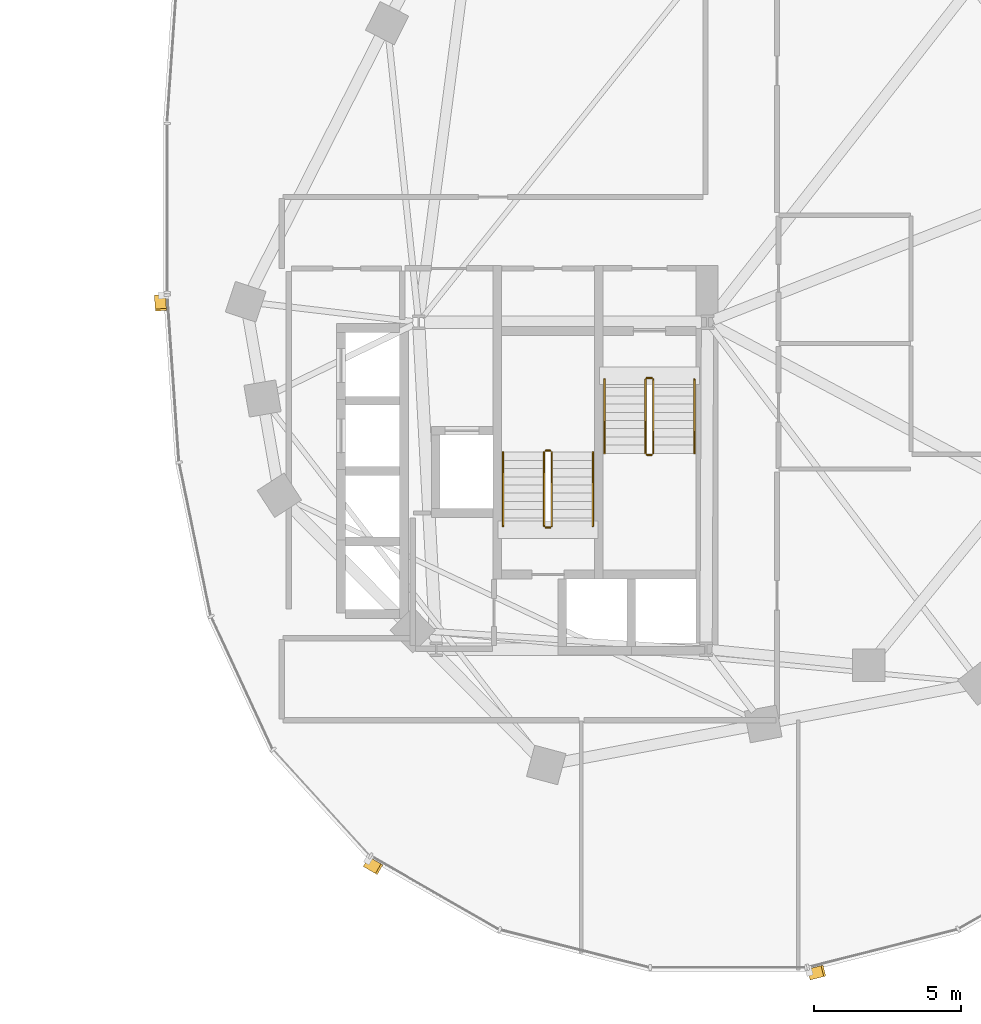
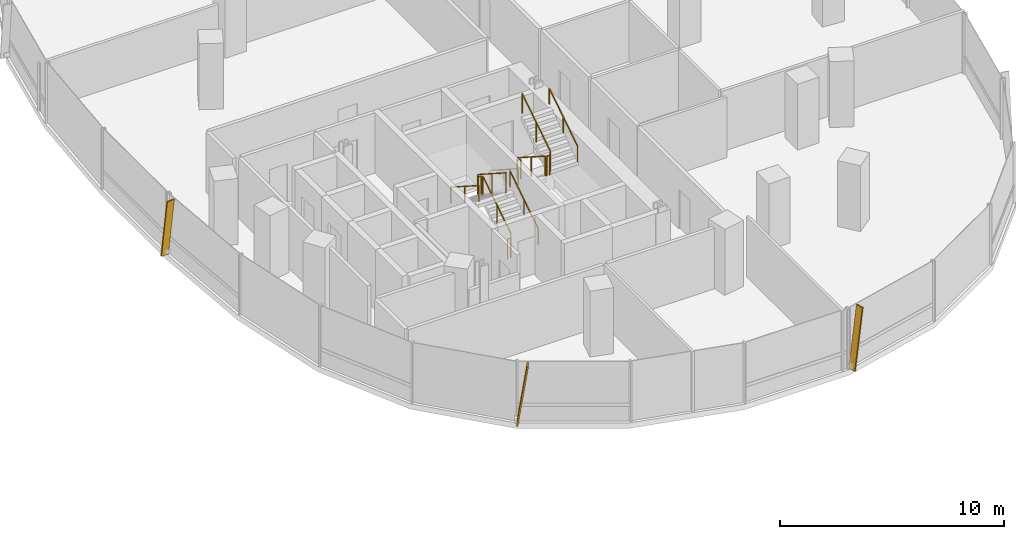
# One storey, part 20 of 21: 12 railings, 3 shading devices.
"""IFC4 building model written with IfcOpenShell, lengths in metres."""

from ifc_helpers import new_model, si_unit, direction, frame, origin, origin_2d, place, context, subcontext, project, spatial, rectangle, extrude, material, material_profile, profile_set, type_object, element, save


model = new_model("IFC4")

# Units and contexts
model_context = context("Model", 3, precision=1e-05, world=origin(), true_north=direction((0.0, 1.0)))
body_context = subcontext(model_context, "Body", "Model", "MODEL_VIEW")
ifc_project = project(units=[si_unit("LENGTHUNIT", "METRE"), si_unit("AREAUNIT", "SQUARE_METRE"), si_unit("VOLUMEUNIT", "CUBIC_METRE"), si_unit("PLANEANGLEUNIT", "RADIAN"), si_unit("MASSUNIT", "GRAM", prefix="KILO"), si_unit("THERMODYNAMICTEMPERATUREUNIT", "KELVIN"), si_unit("POWERUNIT", "WATT")], contexts=[model_context])

# Site, building, storey
site_placement = place(None, origin())
site = spatial("IfcSite", under=ifc_project, at=site_placement, CompositionType="ELEMENT")
building_placement = place(site_placement, origin())
building = spatial("IfcBuilding", under=site, at=building_placement, Name="Cundina Bronze Exchange", CompositionType="ELEMENT")
storey_placement = place(building_placement, frame((0.0, 0.0, 107.0)))
storey = spatial("IfcBuildingStorey", under=building, at=storey_placement, Name="L27", CompositionType="ELEMENT", Elevation=107.0)

# Railings
ifc_material_1 = material(Name="Steel ASTM A36 Painted", Category="steel")
railing_type_1 = type_object("IfcRailingType", Name="RLG-HND-900", PredefinedType="HANDRAIL", material=ifc_material_1)
railing_1_placement = place(storey_placement, frame((27.7900390625, -5.85009765625, 0.179931640625)))
element("IfcRailing", 1, at=railing_1_placement, inside=storey, type_object=railing_type_1, Name="L27 ST-E1 stair handrail 1", PredefinedType="HANDRAIL", context=body_context, shape_type="SweptSolid", body=[
    extrude(rectangle(XDim=0.048095703125, YDim=0.048095703125, at=origin_2d()), frame((0.0, 0.0, 0.8759765625), z_axis=(0.0, -0.841162588446, 0.540782303519), x_axis=(1.0, 0.0, 0.0)), (0.0, 0.0, 1.0), 2.995849609375),
    extrude(rectangle(XDim=0.0419921875, YDim=0.0419921875, at=origin_2d()), origin(), (0.0, 0.0, 1.0), 0.851806640625),
    extrude(rectangle(XDim=0.0419921875, YDim=0.0419921875, at=origin_2d()), frame((0.0, -1.260009765625, 0.81005859375)), (0.0, 0.0, 1.0), 0.851806640625),
    extrude(rectangle(XDim=0.0419921875, YDim=0.0419921875, at=origin_2d()), frame((0.0, -2.52001953125, 1.6201171875)), (0.0, 0.0, 1.0), 0.851806640625),
])
for number, where, name in (
    (2, (30.85009765625, -8.3701171875, 1.97998046875), "L27 ST-E1 stair handrail 2"),
    (3, (27.389892578125, -10.85009765625, 0.179931640625), "L27 ST-E2 stair handrail 1"),
):
    element("IfcRailing", number, at=place(storey_placement, frame(where)), inside=storey, type_object=railing_type_1, Name=name, PredefinedType="HANDRAIL", context=body_context, shape_type="SweptSolid", body=[
        extrude(rectangle(XDim=0.048095703125, YDim=0.048095703125, at=origin_2d()), frame((0.0, 0.0, 0.8759765625), z_axis=(0.0, 0.841162588446, 0.540782303519), x_axis=(-1.0, 0.0, 0.0)), (0.0, 0.0, 1.0), 2.995849609375),
        extrude(rectangle(XDim=0.0419921875, YDim=0.0419921875, at=origin_2d()), origin(), (0.0, 0.0, 1.0), 0.851806640625),
        extrude(rectangle(XDim=0.0419921875, YDim=0.0419921875, at=origin_2d()), frame((0.0, 1.260009765625, 0.81005859375)), (0.0, 0.0, 1.0), 0.851806640625),
        extrude(rectangle(XDim=0.0419921875, YDim=0.0419921875, at=origin_2d()), frame((0.0, 2.52001953125, 1.6201171875)), (0.0, 0.0, 1.0), 0.851806640625),
    ])
railing_2_placement = place(storey_placement, frame((24.330078125, -8.330078125, 1.97998046875)))
element("IfcRailing", 4, at=railing_2_placement, inside=storey, type_object=railing_type_1, Name="L27 ST-E2 stair handrail 2", PredefinedType="HANDRAIL", context=body_context, shape_type="SweptSolid", body=[
    extrude(rectangle(XDim=0.048095703125, YDim=0.048095703125, at=origin_2d()), frame((0.0, 0.0, 0.8759765625), z_axis=(0.0, -0.841162588446, 0.540782303519), x_axis=(1.0, 0.0, 0.0)), (0.0, 0.0, 1.0), 2.995849609375),
    extrude(rectangle(XDim=0.0419921875, YDim=0.0419921875, at=origin_2d()), origin(), (0.0, 0.0, 1.0), 0.851806640625),
    extrude(rectangle(XDim=0.0419921875, YDim=0.0419921875, at=origin_2d()), frame((0.0, -1.260009765625, 0.81005859375)), (0.0, 0.0, 1.0), 0.851806640625),
    extrude(rectangle(XDim=0.0419921875, YDim=0.0419921875, at=origin_2d()), frame((0.0, -2.52001953125, 1.6201171875)), (0.0, 0.0, 1.0), 0.851806640625),
])
railing_type_2 = type_object("IfcRailingType", Name="RLG-STG-1100", PredefinedType="GUARDRAIL", material=ifc_material_1)
railing_3_placement = place(storey_placement, frame((29.18994140625, -5.85009765625, 0.179931640625)))
element("IfcRailing", 5, at=railing_3_placement, inside=storey, type_object=railing_type_2, Name="L27 ST-E1 stair guard 1", PredefinedType="GUARDRAIL", context=body_context, shape_type="SweptSolid", body=[
    extrude(rectangle(XDim=0.048095703125, YDim=0.048095703125, at=origin_2d()), frame((0.0, 0.0, 1.076171875), z_axis=(0.0, -0.841162588446, 0.540782303519), x_axis=(1.0, 0.0, 0.0)), (0.0, 0.0, 1.0), 2.995849609375),
    extrude(rectangle(XDim=0.0419921875, YDim=0.0419921875, at=origin_2d()), origin(), (0.0, 0.0, 1.0), 1.052001953125),
    extrude(rectangle(XDim=0.0419921875, YDim=0.0419921875, at=origin_2d()), frame((0.0, -1.260009765625, 0.81005859375)), (0.0, 0.0, 1.0), 1.052001953125),
    extrude(rectangle(XDim=0.0419921875, YDim=0.0419921875, at=origin_2d()), frame((0.0, -2.52001953125, 1.6201171875)), (0.0, 0.0, 1.0), 1.052001953125),
])
railing_4_placement = place(storey_placement, frame((29.239990234375, -8.419921875, 1.800048828125)))
element("IfcRailing", 6, at=railing_4_placement, inside=storey, type_object=railing_type_2, Name="L27 ST-E1 stair guard 2", PredefinedType="GUARDRAIL", context=body_context, shape_type="SweptSolid", body=[
    extrude(rectangle(XDim=0.048095703125, YDim=0.048095703125, at=origin_2d()), frame((0.0, 0.0, 1.076171875), z_axis=(1.0, 0.0, 0.0), x_axis=(0.0, 1.0, 0.0)), (0.0, 0.0, 1.0), 0.159912109375),
    extrude(rectangle(XDim=0.0419921875, YDim=0.0419921875, at=origin_2d()), origin(), (0.0, 0.0, 1.0), 1.052001953125),
    extrude(rectangle(XDim=0.0419921875, YDim=0.0419921875, at=origin_2d()), frame((0.159912109375, 0.0, 0.0)), (0.0, 0.0, 1.0), 1.052001953125),
])
railing_5_placement = place(storey_placement, frame((29.449951171875, -8.3701171875, 1.97998046875)))
element("IfcRailing", 7, at=railing_5_placement, inside=storey, type_object=railing_type_2, Name="L27 ST-E1 stair guard 3", PredefinedType="GUARDRAIL", context=body_context, shape_type="SweptSolid", body=[
    extrude(rectangle(XDim=0.048095703125, YDim=0.048095703125, at=origin_2d()), frame((0.0, 0.0, 1.076171875), z_axis=(0.0, 0.841162588446, 0.540782303519), x_axis=(-1.0, 0.0, 0.0)), (0.0, 0.0, 1.0), 2.995849609375),
    extrude(rectangle(XDim=0.0419921875, YDim=0.0419921875, at=origin_2d()), origin(), (0.0, 0.0, 1.0), 1.052001953125),
    extrude(rectangle(XDim=0.0419921875, YDim=0.0419921875, at=origin_2d()), frame((0.0, 1.260009765625, 0.81005859375)), (0.0, 0.0, 1.0), 1.052001953125),
    extrude(rectangle(XDim=0.0419921875, YDim=0.0419921875, at=origin_2d()), frame((0.0, 2.52001953125, 1.6201171875)), (0.0, 0.0, 1.0), 1.052001953125),
])
railing_6_placement = place(storey_placement, frame((29.239990234375, -5.800048828125, 0.0)))
element("IfcRailing", 8, at=railing_6_placement, inside=storey, type_object=railing_type_2, Name="L27 ST-E1 stair guard 4", PredefinedType="GUARDRAIL", context=body_context, shape_type="SweptSolid", body=[
    extrude(rectangle(XDim=0.048095703125, YDim=0.048095703125, at=origin_2d()), frame((0.0, 0.0, 1.076171875), z_axis=(1.0, 0.0, 0.0), x_axis=(0.0, 1.0, 0.0)), (0.0, 0.0, 1.0), 0.159912109375),
    extrude(rectangle(XDim=0.0419921875, YDim=0.0419921875, at=origin_2d()), origin(), (0.0, 0.0, 1.0), 1.052001953125),
    extrude(rectangle(XDim=0.0419921875, YDim=0.0419921875, at=origin_2d()), frame((0.159912109375, 0.0, 0.0)), (0.0, 0.0, 1.0), 1.052001953125),
])
railing_7_placement = place(storey_placement, frame((25.989990234375, -10.85009765625, 0.179931640625)))
element("IfcRailing", 9, at=railing_7_placement, inside=storey, type_object=railing_type_2, Name="L27 ST-E2 stair guard 1", PredefinedType="GUARDRAIL", context=body_context, shape_type="SweptSolid", body=[
    extrude(rectangle(XDim=0.048095703125, YDim=0.048095703125, at=origin_2d()), frame((0.0, 0.0, 1.076171875), z_axis=(0.0, 0.841162588446, 0.540782303519), x_axis=(-1.0, 0.0, 0.0)), (0.0, 0.0, 1.0), 2.995849609375),
    extrude(rectangle(XDim=0.0419921875, YDim=0.0419921875, at=origin_2d()), origin(), (0.0, 0.0, 1.0), 1.052001953125),
    extrude(rectangle(XDim=0.0419921875, YDim=0.0419921875, at=origin_2d()), frame((0.0, 1.260009765625, 0.81005859375)), (0.0, 0.0, 1.0), 1.052001953125),
    extrude(rectangle(XDim=0.0419921875, YDim=0.0419921875, at=origin_2d()), frame((0.0, 2.52001953125, 1.6201171875)), (0.0, 0.0, 1.0), 1.052001953125),
])
railing_8_placement = place(storey_placement, frame((25.93994140625, -8.280029296875, 1.800048828125)))
element("IfcRailing", 10, at=railing_8_placement, inside=storey, type_object=railing_type_2, Name="L27 ST-E2 stair guard 2", PredefinedType="GUARDRAIL", context=body_context, shape_type="SweptSolid", body=[
    extrude(rectangle(XDim=0.048095703125, YDim=0.048095703125, at=origin_2d()), frame((0.0, 0.0, 1.076171875), z_axis=(-1.0, 0.0, 0.0), x_axis=(0.0, -1.0, 0.0)), (0.0, 0.0, 1.0), 0.159912109375),
    extrude(rectangle(XDim=0.0419921875, YDim=0.0419921875, at=origin_2d()), origin(), (0.0, 0.0, 1.0), 1.052001953125),
    extrude(rectangle(XDim=0.0419921875, YDim=0.0419921875, at=origin_2d()), frame((-0.159912109375, 0.0, 0.0)), (0.0, 0.0, 1.0), 1.052001953125),
])
railing_9_placement = place(storey_placement, frame((25.72998046875, -8.330078125, 1.97998046875)))
element("IfcRailing", 11, at=railing_9_placement, inside=storey, type_object=railing_type_2, Name="L27 ST-E2 stair guard 3", PredefinedType="GUARDRAIL", context=body_context, shape_type="SweptSolid", body=[
    extrude(rectangle(XDim=0.048095703125, YDim=0.048095703125, at=origin_2d()), frame((0.0, 0.0, 1.076171875), z_axis=(0.0, -0.841162588446, 0.540782303519), x_axis=(1.0, 0.0, 0.0)), (0.0, 0.0, 1.0), 2.995849609375),
    extrude(rectangle(XDim=0.0419921875, YDim=0.0419921875, at=origin_2d()), origin(), (0.0, 0.0, 1.0), 1.052001953125),
    extrude(rectangle(XDim=0.0419921875, YDim=0.0419921875, at=origin_2d()), frame((0.0, -1.260009765625, 0.81005859375)), (0.0, 0.0, 1.0), 1.052001953125),
    extrude(rectangle(XDim=0.0419921875, YDim=0.0419921875, at=origin_2d()), frame((0.0, -2.52001953125, 1.6201171875)), (0.0, 0.0, 1.0), 1.052001953125),
])
railing_10_placement = place(storey_placement, frame((25.93994140625, -10.89990234375, 0.0)))
element("IfcRailing", 12, at=railing_10_placement, inside=storey, type_object=railing_type_2, Name="L27 ST-E2 stair guard 4", PredefinedType="GUARDRAIL", context=body_context, shape_type="SweptSolid", body=[
    extrude(rectangle(XDim=0.048095703125, YDim=0.048095703125, at=origin_2d()), frame((0.0, 0.0, 1.076171875), z_axis=(-1.0, 0.0, 0.0), x_axis=(0.0, -1.0, 0.0)), (0.0, 0.0, 1.0), 0.159912109375),
    extrude(rectangle(XDim=0.0419921875, YDim=0.0419921875, at=origin_2d()), origin(), (0.0, 0.0, 1.0), 1.052001953125),
    extrude(rectangle(XDim=0.0419921875, YDim=0.0419921875, at=origin_2d()), frame((-0.159912109375, 0.0, 0.0)), (0.0, 0.0, 1.0), 1.052001953125),
])

# Shading devices
ifc_material_2 = material(Name="Anodised Bronze Aluminium 6063-T6", Category="aluminium")
ifc_material_profile = material_profile(ifc_material_2, rectangle(XDim=0.070068359375, YDim=0.3798828125, at=origin_2d()), Name="FIN70X380", Category="aluminium")
ifc_profile_set = profile_set([ifc_material_profile], Name="Anodised Bronze Aluminium 6063-T6")
shading_device_type = type_object("IfcShadingDeviceType", Name="SHD-FIN-BRZ380", PredefinedType="USERDEFINED", material=ifc_profile_set)
for number, where, z_axis, x_axis, name in (
    (13, (12.6259765625, -2.993896484375, 0.02001953125), (0.010224545828, -0.145292278041, 0.989335945271), (-0.069450050635, 0.986895284755, 0.145651595925), "L27 Diagonal Bronze Solar Fin 1"),
    (14, (19.685791015625, -22.314208984375, 0.02001953125), (0.126324692219, -0.072534823274, 0.989333498649), (-0.857958278167, 0.492634108109, 0.145668213594), "L27 Diagonal Bronze Solar Fin 5"),
    (15, (34.787353515625, -26.138427734375, 0.02001953125), (0.141217047268, 0.035711761166, 0.989334329575), (-0.95914051701, -0.242552848478, 0.145662570088), "L27 Diagonal Bronze Solar Fin 1"),
):
    element("IfcShadingDevice", number, at=place(storey_placement, frame(where, z_axis=z_axis, x_axis=x_axis)), inside=storey, type_object=shading_device_type, Name=name, ObjectType="FIN", PredefinedType="USERDEFINED", context=body_context, shape_type="SweptSolid", body=[
        extrude(rectangle(XDim=0.070068359375, YDim=0.3798828125, at=origin_2d()), origin(), (0.0, 0.0, 1.0), 3.295166015625),
    ])

save(model, "model.ifc")
